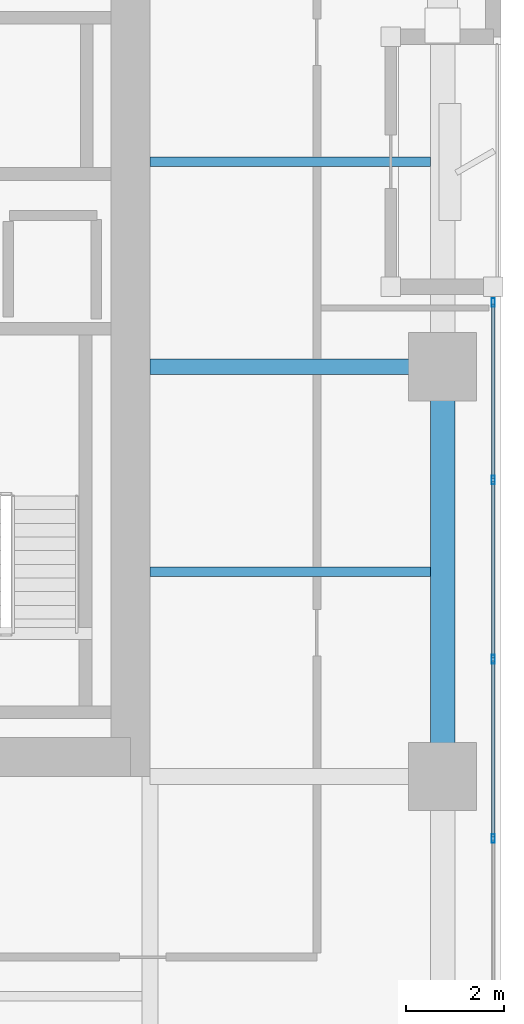
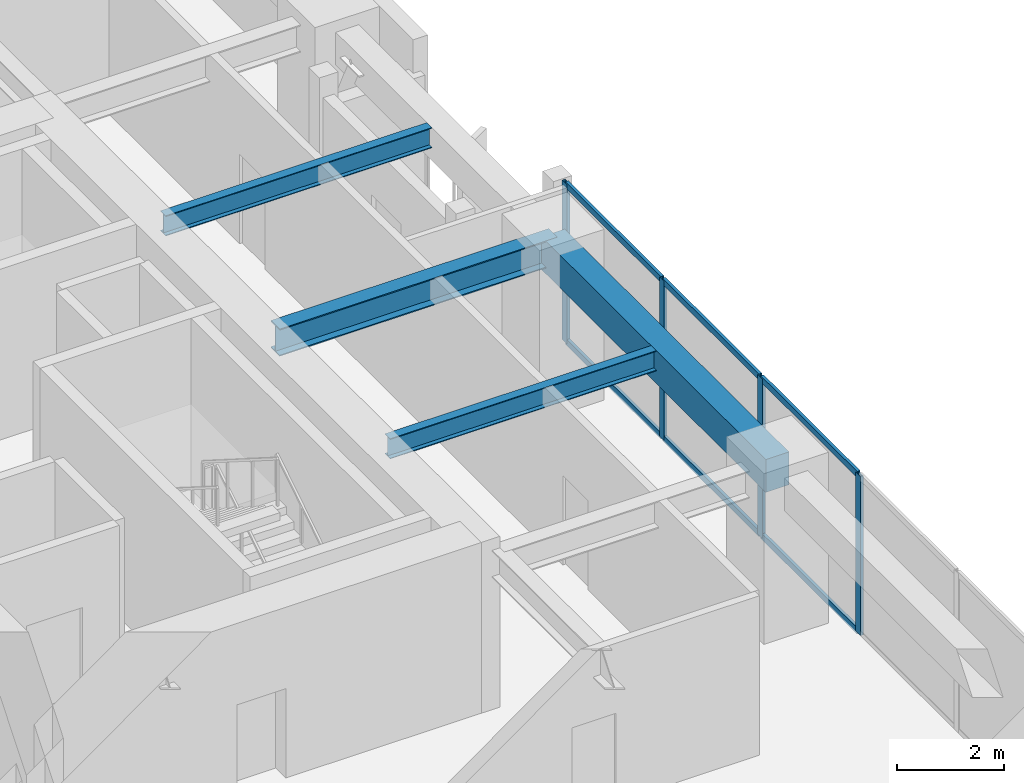
# One storey, part 6 of 24: 10 members, 4 beams, 1 element without a shape of its own.
"""IFC4 building model written with IfcOpenShell, lengths in metres."""

from ifc_helpers import new_model, si_unit, direction, frame, origin, origin_2d, place, context, subcontext, project, spatial, rectangle, hollow_rectangle, i_section, extrude, material, layer, layer_set, material_profile, profile_set, type_object, element, aggregate, save


model = new_model("IFC4")

# Units and contexts
model_context = context("Model", 3, precision=1e-05, world=origin(), true_north=direction((0.0, 1.0)))
body_context = subcontext(model_context, "Body", "Model", "MODEL_VIEW")
ifc_project = project(units=[si_unit("LENGTHUNIT", "METRE"), si_unit("AREAUNIT", "SQUARE_METRE"), si_unit("VOLUMEUNIT", "CUBIC_METRE"), si_unit("PLANEANGLEUNIT", "RADIAN"), si_unit("MASSUNIT", "GRAM", prefix="KILO")], contexts=[model_context])

# Site, building, storey
site_placement = place(None, origin())
site = spatial("IfcSite", under=ifc_project, at=site_placement, CompositionType="ELEMENT")
building_placement = place(site_placement, origin())
building = spatial("IfcBuilding", under=site, at=building_placement, Name="Kiyonajd Concourse Tower", CompositionType="ELEMENT")
storey_placement = place(building_placement, frame((0.0, 0.0, 105.300048828125)))
storey = spatial("IfcBuildingStorey", under=building, at=storey_placement, Name="L27", CompositionType="ELEMENT", Elevation=105.300048828125)

# Beams
ifc_material_1 = material(Name="Steel ASTM A992 Grade 50", Category="steel")
ifc_material_profile_1 = material_profile(ifc_material_1, i_section(OverallWidth=0.19189453125, OverallDepth=0.462890625, WebThickness=0.010498046875, FlangeThickness=0.017578125, at=origin_2d()), Name="W460X89")
ifc_profile_set_1 = profile_set([ifc_material_profile_1], Name="Steel ASTM A992 Grade 50")
beam_type_1 = type_object("IfcBeamType", Name="BM-JST-460B", PredefinedType="JOIST", material=ifc_profile_set_1)
for number, where, z_axis, x_axis, name in (
    (1, (63.60009765625, 31.800048828125, 3.408447265625), (1.0, 0.0, 0.0), (0.0, 1.0, 0.0), "L27 East Secondary Floor Joist"),
    (2, (63.60009765625, 40.199951171875, 3.408447265625), (1.0, 0.0, 0.0), (0.0, 1.0, 0.0), "L27 East Secondary Floor Joist"),
):
    element("IfcBeam", number, at=place(storey_placement, frame(where, z_axis=z_axis, x_axis=x_axis)), inside=storey, type_object=beam_type_1, Name=name, PredefinedType="JOIST", context=body_context, shape_type="SweptSolid", body=[
        extrude(i_section(OverallWidth=0.19189453125, OverallDepth=0.462890625, WebThickness=0.010498046875, FlangeThickness=0.017578125, at=origin_2d()), origin(), (0.0, 0.0, 1.0), 5.75),
    ])
ifc_material_2 = material(Name="Precast concrete C50/60", Category="concrete")
ifc_material_profile_2 = material_profile(ifc_material_2, rectangle(XDim=0.5, YDim=0.75, at=origin_2d()), Name="RCBM-500x750")
ifc_profile_set_2 = profile_set([ifc_material_profile_2], Name="Precast concrete C50/60")
beam_type_2 = type_object("IfcBeamType", Name="BM-SPAN-RC", PredefinedType="SPANDREL", material=ifc_profile_set_2)
beam_1_placement = place(storey_placement, frame((69.60009765625, 27.60009765625, 3.264892578125), z_axis=(0.0, 1.0, 0.0), x_axis=(-1.0, 0.0, 0.0)))
element("IfcBeam", 3, at=beam_1_placement, inside=storey, type_object=beam_type_2, Name="L27 Perimeter Bundled Tube Spandrel", PredefinedType="SPANDREL", context=body_context, shape_type="SweptSolid", body=[
    extrude(rectangle(XDim=0.5, YDim=0.75, at=origin_2d()), origin(), (0.0, 0.0, 1.0), 8.39990234375),
])
ifc_material_profile_3 = material_profile(ifc_material_1, i_section(OverallWidth=0.326904296875, OverallDepth=0.6220703125, WebThickness=0.015380859375, FlangeThickness=0.0244140625, at=origin_2d()), Name="W610X195")
ifc_profile_set_3 = profile_set([ifc_material_profile_3], Name="Steel ASTM A992 Grade 50")
beam_type_3 = type_object("IfcBeamType", Name="BM-TWR-610A", PredefinedType="BEAM", material=ifc_profile_set_3)
beam_2_placement = place(storey_placement, frame((63.60009765625, 36.0, 3.328857421875), z_axis=(1.0, 0.0, 0.0), x_axis=(0.0, 1.0, 0.0)))
element("IfcBeam", 4, at=beam_2_placement, inside=storey, type_object=beam_type_3, Name="L27 East Lease Girder", PredefinedType="BEAM", context=body_context, shape_type="SweptSolid", body=[
    extrude(i_section(OverallWidth=0.326904296875, OverallDepth=0.6220703125, WebThickness=0.015380859375, FlangeThickness=0.0244140625, at=origin_2d()), origin(), (0.0, 0.0, 1.0), 6.0),
])

# Curtain wall, members
ifc_material_3 = material(Name="Thermally Broken Anodised Aluminium", Category="aluminium")
ifc_layer = layer(ifc_material_3, 0.179931640625)
ifc_layer_set = layer_set([ifc_layer], Name="Thermally Broken Anodised Aluminium")
curtain_wall_type = type_object("IfcCurtainWallType", Name="CW-SYS-03", PredefinedType="NOTDEFINED", material=ifc_layer_set)
curtain_wall_placement = place(storey_placement, origin())
curtain_wall = element("IfcCurtainWall", 5, at=curtain_wall_placement, inside=storey, type_object=curtain_wall_type, Name="L27 Unitised Curtain Wall CW3", PredefinedType="NOTDEFINED")
ifc_material_profile_4 = material_profile(ifc_material_3, hollow_rectangle(XDim=0.06494140625, YDim=0.179931640625, WallThickness=0.00390625, at=origin_2d()), Name="MULL-65x180")
ifc_profile_set_4 = profile_set([ifc_material_profile_4], Name="Thermally Broken Anodised Aluminium")
member_type_1 = type_object("IfcMemberType", Name="MB-CW-MULL1", PredefinedType="MULLION", material=ifc_profile_set_4)
member_1_placement = place(storey_placement, frame((70.639892578125, 37.3173828125, 0.0), z_axis=(0.0, 0.0, 1.0), x_axis=(1.0, 0.0, 0.0)))
member_1 = element("IfcMember", 6, at=member_1_placement, type_object=member_type_1, Name="CW3 mullion 1", PredefinedType="MULLION", context=body_context, shape_type="SweptSolid", body=[
    extrude(hollow_rectangle(XDim=0.06494140625, YDim=0.179931640625, WallThickness=0.00390625, at=origin_2d()), origin(), (0.0, 0.0, 1.0), 3.639892578125),
])
member_2_placement = place(storey_placement, frame((70.639892578125, 33.6767578125, 0.0), z_axis=(0.0, 0.0, 1.0), x_axis=(1.0, 0.0, 0.0)))
member_2 = element("IfcMember", 7, at=member_2_placement, type_object=member_type_1, Name="CW3 mullion 2", PredefinedType="MULLION", context=body_context, shape_type="SweptSolid", body=[
    extrude(hollow_rectangle(XDim=0.06494140625, YDim=0.179931640625, WallThickness=0.00390625, at=origin_2d()), origin(), (0.0, 0.0, 1.0), 3.639892578125),
])
member_3_placement = place(storey_placement, frame((70.639892578125, 30.003662109375, 0.0), z_axis=(0.0, 0.0, 1.0), x_axis=(1.0, 0.0, 0.0)))
member_3 = element("IfcMember", 8, at=member_3_placement, type_object=member_type_1, Name="CW3 mullion 3", PredefinedType="MULLION", context=body_context, shape_type="SweptSolid", body=[
    extrude(hollow_rectangle(XDim=0.06494140625, YDim=0.179931640625, WallThickness=0.00390625, at=origin_2d()), origin(), (0.0, 0.0, 1.0), 3.639892578125),
])
member_4_placement = place(storey_placement, frame((70.639892578125, 26.33056640625, 0.0), z_axis=(0.0, 0.0, 1.0), x_axis=(1.0, 0.0, 0.0)))
member_4 = element("IfcMember", 9, at=member_4_placement, type_object=member_type_1, Name="CW3 mullion 4", PredefinedType="MULLION", context=body_context, shape_type="SweptSolid", body=[
    extrude(hollow_rectangle(XDim=0.06494140625, YDim=0.179931640625, WallThickness=0.00390625, at=origin_2d()), origin(), (0.0, 0.0, 1.0), 3.639892578125),
])
ifc_material_profile_5 = material_profile(ifc_material_3, hollow_rectangle(XDim=0.06494140625, YDim=0.139892578125, WallThickness=0.00390625, at=origin_2d()), Name="TRAN-65x140")
ifc_profile_set_5 = profile_set([ifc_material_profile_5], Name="Thermally Broken Anodised Aluminium")
member_type_2 = type_object("IfcMemberType", Name="MB-CW-TRAN1", PredefinedType="USERDEFINED", material=ifc_profile_set_5)
member_5_placement = place(storey_placement, frame((70.639892578125, 37.284912109375, 0.032470703125), z_axis=(0.0, -1.0, 0.0), x_axis=(1.0, 0.0, 0.0)))
member_5 = element("IfcMember", 10, at=member_5_placement, type_object=member_type_2, Name="CW3 transom 1.1", ObjectType="TRANSOM", PredefinedType="USERDEFINED", context=body_context, shape_type="SweptSolid", body=[
    extrude(hollow_rectangle(XDim=0.06494140625, YDim=0.139892578125, WallThickness=0.00390625, at=origin_2d()), origin(), (0.0, 0.0, 1.0), 3.57568359375),
])
member_6_placement = place(storey_placement, frame((70.639892578125, 37.284912109375, 3.607421875), z_axis=(0.0, -1.0, 0.0), x_axis=(1.0, 0.0, 0.0)))
member_6 = element("IfcMember", 11, at=member_6_placement, type_object=member_type_2, Name="CW3 transom 1.2", ObjectType="TRANSOM", PredefinedType="USERDEFINED", context=body_context, shape_type="SweptSolid", body=[
    extrude(hollow_rectangle(XDim=0.06494140625, YDim=0.139892578125, WallThickness=0.00390625, at=origin_2d()), origin(), (0.0, 0.0, 1.0), 3.57568359375),
])
member_7_placement = place(storey_placement, frame((70.639892578125, 33.644287109375, 0.032470703125), z_axis=(0.0, -1.0, 0.0), x_axis=(1.0, 0.0, 0.0)))
member_7 = element("IfcMember", 12, at=member_7_placement, type_object=member_type_2, Name="CW3 transom 2.1", ObjectType="TRANSOM", PredefinedType="USERDEFINED", context=body_context, shape_type="SweptSolid", body=[
    extrude(hollow_rectangle(XDim=0.06494140625, YDim=0.139892578125, WallThickness=0.00390625, at=origin_2d()), origin(), (0.0, 0.0, 1.0), 3.608154296875),
])
member_8_placement = place(storey_placement, frame((70.639892578125, 33.644287109375, 3.607421875), z_axis=(0.0, -1.0, 0.0), x_axis=(1.0, 0.0, 0.0)))
member_8 = element("IfcMember", 13, at=member_8_placement, type_object=member_type_2, Name="CW3 transom 2.2", ObjectType="TRANSOM", PredefinedType="USERDEFINED", context=body_context, shape_type="SweptSolid", body=[
    extrude(hollow_rectangle(XDim=0.06494140625, YDim=0.139892578125, WallThickness=0.00390625, at=origin_2d()), origin(), (0.0, 0.0, 1.0), 3.608154296875),
])
member_9_placement = place(storey_placement, frame((70.639892578125, 29.97119140625, 0.032470703125), z_axis=(0.0, -1.0, 0.0), x_axis=(1.0, 0.0, 0.0)))
member_9 = element("IfcMember", 14, at=member_9_placement, type_object=member_type_2, Name="CW3 transom 3.1", ObjectType="TRANSOM", PredefinedType="USERDEFINED", context=body_context, shape_type="SweptSolid", body=[
    extrude(hollow_rectangle(XDim=0.06494140625, YDim=0.139892578125, WallThickness=0.00390625, at=origin_2d()), origin(), (0.0, 0.0, 1.0), 3.608154296875),
])
member_10_placement = place(storey_placement, frame((70.639892578125, 29.97119140625, 3.607421875), z_axis=(0.0, -1.0, 0.0), x_axis=(1.0, 0.0, 0.0)))
member_10 = element("IfcMember", 15, at=member_10_placement, type_object=member_type_2, Name="CW3 transom 3.2", ObjectType="TRANSOM", PredefinedType="USERDEFINED", context=body_context, shape_type="SweptSolid", body=[
    extrude(hollow_rectangle(XDim=0.06494140625, YDim=0.139892578125, WallThickness=0.00390625, at=origin_2d()), origin(), (0.0, 0.0, 1.0), 3.608154296875),
])
aggregate(curtain_wall, [member_1, member_2, member_3, member_4, member_5, member_6, member_7, member_8, member_9, member_10])

save(model, "model.ifc")
